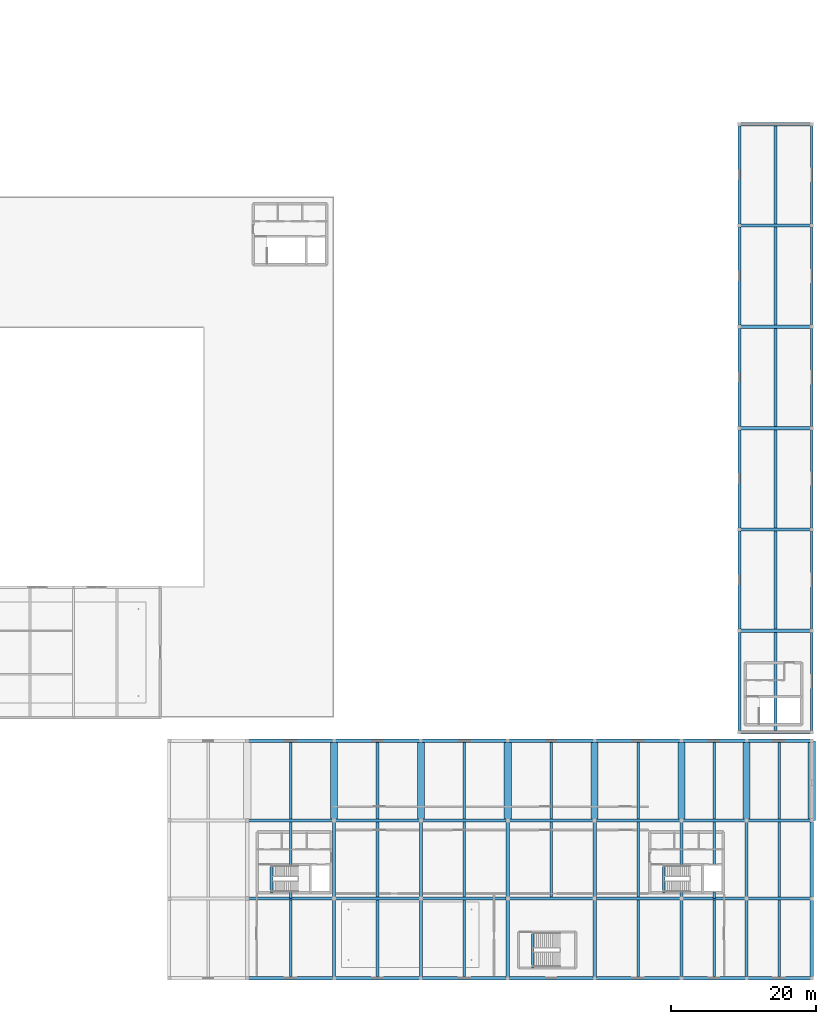
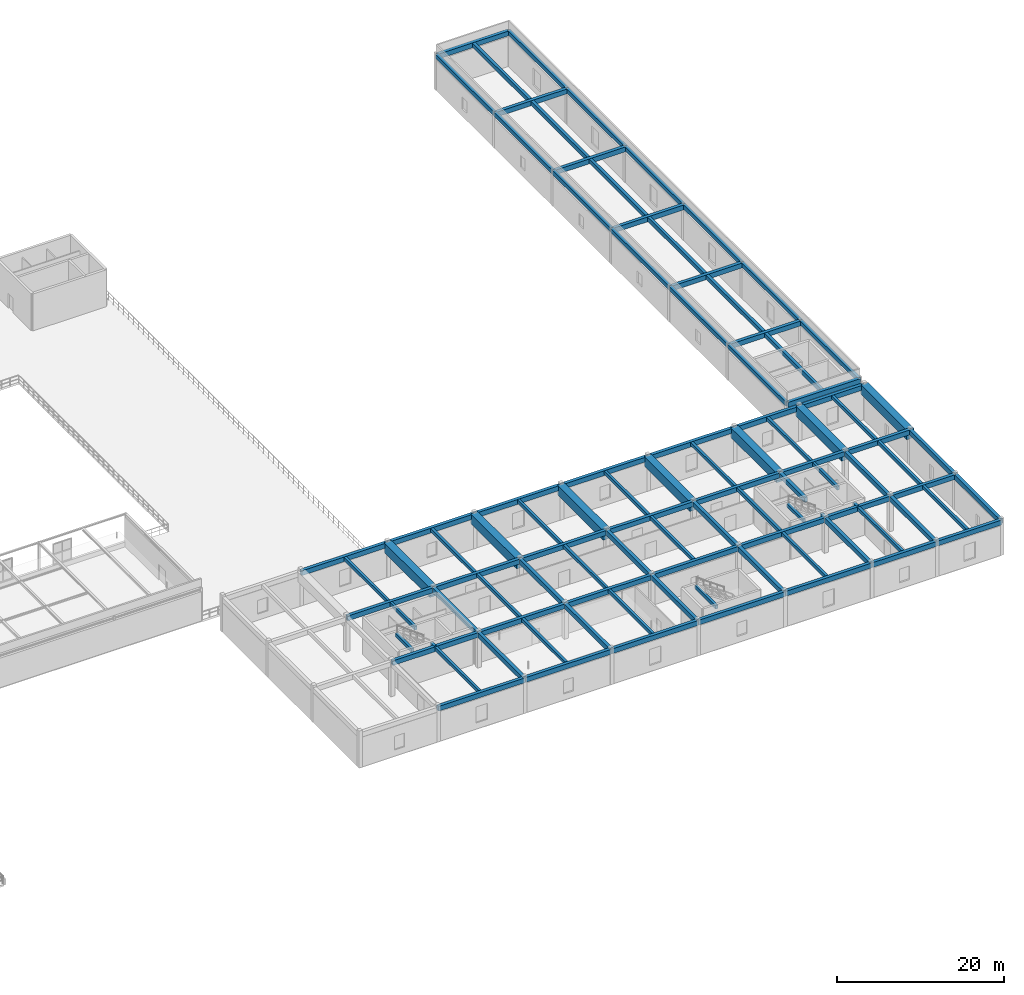
# One storey, part 62 of 97: 100 beams.
"""IFC4 building model written with IfcOpenShell, lengths in metres."""

import ifcopenshell
import ifcopenshell.guid

model = None  # the IFC model being written
_history = None  # IfcOwnerHistory: only IFC2X3 demands one
_inside = {}  # id of a spatial element -> (the spatial element, [elements in it])
_under = {}  # id of a project, library or spatial element -> (it, [spatial elements below it])
_declared = {}  # id of a project -> (the project, [libraries it declares])
_typed = {}  # id of a type object -> (the type object, [elements of that type])
_made_of = {}  # id of a material, layer set ... -> (it, [elements and type objects made of it])


def new_model(schema):
    """Start an empty IFC model of exactly this schema.

    Asked for "IFC4X3", IfcOpenShell would pick the latest addendum, in which some entities
    have other attributes; the version numbers below select the first issue.
    IFC2X3 requires an IfcOwnerHistory on every rooted entity: one is made here for all.
    """
    global model, _history
    if schema == "IFC4X3":
        model = ifcopenshell.file(schema_version=(4, 3, 0, 0))
    else:
        model = ifcopenshell.file(schema=schema)
    _inside.clear()
    _under.clear()
    _declared.clear()
    _typed.clear()
    _made_of.clear()
    _history = None
    if model.schema == "IFC2X3":
        org = make("IfcOrganization", Name="unknown")
        user = make(
            "IfcPersonAndOrganization",
            ThePerson=make("IfcPerson", FamilyName="unknown"),
            TheOrganization=org,
        )
        app = make(
            "IfcApplication",
            ApplicationDeveloper=org,
            Version="unknown",
            ApplicationFullName="unknown",
            ApplicationIdentifier="unknown",
        )
        _history = make(
            "IfcOwnerHistory",
            OwningUser=user,
            OwningApplication=app,
            ChangeAction="ADDED",
            CreationDate=0,
        )
    return model


def make(cls, **values):
    """One entity of the class cls with the attributes given. An attribute that is None is left unset."""
    return model.create_entity(
        cls, **{name: value for name, value in values.items() if value is not None}
    )


def rooted(cls, **values):
    """An entity with a GlobalId (a new one), such as an element, a storey or a relation."""
    return make(cls, GlobalId=ifcopenshell.guid.new(), OwnerHistory=_history, **values)


def si_unit(unit_type, name, prefix=None):
    """IfcSIUnit, for example si_unit("LENGTHUNIT", "METRE", prefix="MILLI")."""
    return make("IfcSIUnit", UnitType=unit_type, Prefix=prefix, Name=name)


def derived_unit(unit_type, elements):
    """IfcDerivedUnit: a product of units, each with its exponent."""
    return make(
        "IfcDerivedUnit",
        Elements=[
            make("IfcDerivedUnitElement", Unit=unit, Exponent=power)
            for unit, power in elements
        ],
        UnitType=unit_type,
    )


def assignment(units):
    """IfcUnitAssignment: the units of a project."""
    return None if units is None else make("IfcUnitAssignment", Units=units)


def point(xyz):
    """IfcCartesianPoint."""
    return None if xyz is None else make("IfcCartesianPoint", Coordinates=xyz)


def direction(xyz):
    """IfcDirection."""
    return None if xyz is None else make("IfcDirection", DirectionRatios=xyz)


def frame(location, z_axis=None, x_axis=None):
    """IfcAxis2Placement3D, a coordinate frame: its origin and axes. An axis left out is left unset."""
    return make(
        "IfcAxis2Placement3D",
        Location=point(location),
        Axis=direction(z_axis),
        RefDirection=direction(x_axis),
    )


def frame_2d(location, x_axis=None):
    """IfcAxis2Placement2D, a coordinate frame in the plane: its origin and x axis."""
    return make(
        "IfcAxis2Placement2D", Location=point(location), RefDirection=direction(x_axis)
    )


def origin():
    """The frame at (0, 0, 0) with its axes left unset."""
    return frame((0.0, 0.0, 0.0))


def origin_2d():
    """The frame at (0, 0) in the plane with its x axis left unset."""
    return frame_2d((0.0, 0.0))


def place(relative_to, where):
    """IfcLocalPlacement: puts the frame where relative to a parent placement (None: the world)."""
    return make(
        "IfcLocalPlacement", PlacementRelTo=relative_to, RelativePlacement=where
    )


def context(
    kind, dimensions, precision=None, world=None, true_north=None, identifier=None
):
    """IfcGeometricRepresentationContext, for example the 3D "Model" context."""
    return make(
        "IfcGeometricRepresentationContext",
        ContextIdentifier=identifier,
        ContextType=kind,
        CoordinateSpaceDimension=dimensions,
        Precision=precision,
        WorldCoordinateSystem=world,
        TrueNorth=true_north,
    )


def subcontext(parent, identifier, kind, view, scale=None):
    """IfcGeometricRepresentationSubContext, for example "Body" below "Model"."""
    return make(
        "IfcGeometricRepresentationSubContext",
        ContextIdentifier=identifier,
        ContextType=kind,
        ParentContext=parent,
        TargetScale=scale,
        TargetView=view,
    )


def project(units=None, contexts=None):
    """IfcProject with its units and contexts."""
    return rooted(
        "IfcProject",
        Name="project",
        RepresentationContexts=contexts,
        UnitsInContext=assignment(units),
    )


def spatial(cls, under=None, at=None, **own):
    """A site, building, storey or space (cls), placed at a placement, below another one or the project."""
    s = rooted(cls, ObjectPlacement=at, **own)
    if under is not None:
        _under.setdefault(under.id(), (under, []))[1].append(s)
    return s


def profile(cls, at=None, kind="AREA", **sizes):
    """A parametric profile (cls). Its sizes go by their IFC names, for example OverallWidth=200.0."""
    return make(cls, ProfileType=kind, Position=at, **sizes)


def rectangle(**sizes):
    """IfcRectangleProfileDef."""
    return profile("IfcRectangleProfileDef", **sizes)


def extrude(swept, where, along, depth):
    """IfcExtrudedAreaSolid: the profile swept, set in the frame where, extruded along a direction by depth."""
    return make(
        "IfcExtrudedAreaSolid",
        SweptArea=swept,
        Position=where,
        ExtrudedDirection=direction(along),
        Depth=depth,
    )


def shape(context_of_items, identifier, shape_type, items):
    """IfcShapeRepresentation: the items that make up one representation, for example the "Body"."""
    return make(
        "IfcShapeRepresentation",
        ContextOfItems=context_of_items,
        RepresentationIdentifier=identifier,
        RepresentationType=shape_type,
        Items=items,
    )


def material(Name=None, Category=None):
    """IfcMaterial."""
    return make("IfcMaterial", Name=Name, Category=Category)


def material_profile(
    of_material, cross_section, Name=None, Category=None, Priority=None
):
    """IfcMaterialProfile: a cross section and its material."""
    return make(
        "IfcMaterialProfile",
        Name=Name,
        Material=of_material,
        Profile=cross_section,
        Priority=Priority,
        Category=Category,
    )


def profile_set(profiles, Name=None, composite=None):
    """IfcMaterialProfileSet."""
    return make(
        "IfcMaterialProfileSet",
        Name=Name,
        MaterialProfiles=profiles,
        CompositeProfile=composite,
    )


def made_of(thing, what):
    """Note that an element or type object is made of a material, layer set ...; save() writes the relation."""
    if what is not None:
        _made_of.setdefault(what.id(), (what, []))[1].append(thing)
    return thing


def type_object(cls, material=None, **own):
    """A type object (cls), such as IfcWallType, which elements share."""
    return made_of(rooted(cls, **own), material)


def element(
    cls,
    number,
    at=None,
    inside=None,
    cuts=None,
    type_object=None,
    material=None,
    context=None,
    identifier="Body",
    shape_type=None,
    held_by="IfcProductDefinitionShape",
    body=None,
    shapes=None,
    **own,
):
    """One element of the class cls, such as IfcWall. Its Tag is "e" and its number.

    at: its placement. inside: the storey or other place that contains it. cuts: it is an
    opening in that element (IfcRelVoidsElement). A single representation is given by context,
    identifier, shape_type and body (its items); several are given by shapes. held_by: the class
    of the entity that holds the representations. save() writes the other relations.
    """
    e = rooted(cls, Tag="e%d" % number, ObjectPlacement=at, **own)
    if body is not None:
        shapes = [shape(context, identifier, shape_type, body)]
    if shapes is not None:
        e.Representation = make(held_by, Representations=shapes)
    if inside is not None:
        _inside.setdefault(inside.id(), (inside, []))[1].append(e)
    if cuts is not None:
        rooted(
            "IfcRelVoidsElement", RelatingBuildingElement=cuts, RelatedOpeningElement=e
        )
    if type_object is not None:
        _typed.setdefault(type_object.id(), (type_object, []))[1].append(e)
    return made_of(e, material)


def aggregate(whole, parts):
    """IfcRelAggregates: a whole, such as a stair, and the parts it consists of."""
    return rooted("IfcRelAggregates", RelatingObject=whole, RelatedObjects=parts)


def save(model, path):
    """Write the relations noted so far, then the file.

    IfcRelAggregates (storeys below a building ...), IfcRelContainedInSpatialStructure (elements
    in a storey), IfcRelDefinesByType, IfcRelAssociatesMaterial and IfcRelDeclares: one each for
    every whole, place, type object, material and project.
    """
    for whole, parts in _under.values():
        aggregate(whole, parts)
    for where, things in _inside.values():
        rooted(
            "IfcRelContainedInSpatialStructure",
            RelatedElements=things,
            RelatingStructure=where,
        )
    for kind, things in _typed.values():
        rooted("IfcRelDefinesByType", RelatedObjects=things, RelatingType=kind)
    for what, things in _made_of.values():
        rooted("IfcRelAssociatesMaterial", RelatedObjects=things, RelatingMaterial=what)
    for by, libraries in _declared.values():
        rooted("IfcRelDeclares", RelatingContext=by, RelatedDefinitions=libraries)
    model.write(path)


model = new_model("IFC4")

# Units and contexts
model_context = context("Model", 3, precision=1e-05, world=origin(), true_north=direction((0.0, 1.0)))
body_context = subcontext(model_context, "Body", "Model", "MODEL_VIEW")
ifc_project = project(units=[si_unit("LENGTHUNIT", "METRE"), si_unit("AREAUNIT", "SQUARE_METRE"), si_unit("VOLUMEUNIT", "CUBIC_METRE"), si_unit("PLANEANGLEUNIT", "RADIAN"), si_unit("MASSUNIT", "GRAM", prefix="KILO"), derived_unit("THERMALTRANSMITTANCEUNIT", [(si_unit("POWERUNIT", "WATT"), 1), (si_unit("LENGTHUNIT", "METRE"), -2), (si_unit("THERMODYNAMICTEMPERATUREUNIT", "KELVIN"), -1)])], contexts=[model_context])

# Site, building, storey
site_placement = place(None, origin())
site = spatial("IfcSite", under=ifc_project, at=site_placement, CompositionType="ELEMENT")
building_placement = place(site_placement, origin())
building = spatial("IfcBuilding", under=site, at=building_placement, Name="Almenara Railside Exhibition Hall", CompositionType="ELEMENT")
storey_placement = place(building_placement, frame((0.0, 0.0, 10.800048828125)))
storey = spatial("IfcBuildingStorey", under=building, at=storey_placement, Name="L02", CompositionType="ELEMENT", Elevation=10.800048828125)

# Beams
ifc_material_1 = material(Name="Concrete C35/45", Category="concrete")
ifc_material_profile_1 = material_profile(ifc_material_1, rectangle(XDim=0.449951171875, YDim=0.699951171875, at=origin_2d()), Name="RC 450x700")
ifc_profile_set_1 = profile_set([ifc_material_profile_1], Name="Concrete C35/45")
beam_type_1 = type_object("IfcBeamType", Name="RC Floor Beam 450x700 C35/45", PredefinedType="BEAM", material=ifc_profile_set_1)
for number, where, z_axis, x_axis, name in (
    (1, (126.0, 0.0, 4.7958984375), (1.0, 0.0, 0.0), (0.0, 1.0, 0.0), "Beam 0255"),
    (2, (138.0, 0.0, 4.7958984375), (1.0, 0.0, 0.0), (0.0, 1.0, 0.0), "Beam 0256"),
    (3, (150.0, 0.0, 4.7958984375), (1.0, 0.0, 0.0), (0.0, 1.0, 0.0), "Beam 0257"),
    (4, (162.0, 0.0, 4.7958984375), (1.0, 0.0, 0.0), (0.0, 1.0, 0.0), "Beam 0258"),
    (5, (174.0, 0.0, 4.7958984375), (1.0, 0.0, 0.0), (0.0, 1.0, 0.0), "Beam 0259"),
):
    element("IfcBeam", number, at=place(storey_placement, frame(where, z_axis=z_axis, x_axis=x_axis)), inside=storey, type_object=beam_type_1, Name=name, PredefinedType="BEAM", context=body_context, shape_type="SweptSolid", body=[
        extrude(rectangle(XDim=0.449951171875, YDim=0.699951171875, at=origin_2d()), origin(), (0.0, 0.0, 1.0), 12.0),
    ])
for number, where, z_axis, x_axis, name in (
    (6, (186.0, 0.0, 4.7958984375), (1.0, 0.0, 0.0), (0.0, 1.0, 0.0), "Beam 0260"),
    (7, (195.0, 0.0, 4.7958984375), (1.0, 0.0, 0.0), (0.0, 1.0, 0.0), "Beam 0261"),
):
    element("IfcBeam", number, at=place(storey_placement, frame(where, z_axis=z_axis, x_axis=x_axis)), inside=storey, type_object=beam_type_1, Name=name, PredefinedType="BEAM", context=body_context, shape_type="SweptSolid", body=[
        extrude(rectangle(XDim=0.449951171875, YDim=0.699951171875, at=origin_2d()), origin(), (0.0, 0.0, 1.0), 9.0),
    ])
for number, where, z_axis, x_axis, name in (
    (8, (126.0, 11.0, 4.7958984375), (1.0, 0.0, 0.0), (0.0, 1.0, 0.0), "Beam 0263"),
    (9, (138.0, 11.0, 4.7958984375), (1.0, 0.0, 0.0), (0.0, 1.0, 0.0), "Beam 0264"),
    (10, (150.0, 11.0, 4.7958984375), (1.0, 0.0, 0.0), (0.0, 1.0, 0.0), "Beam 0265"),
    (11, (162.0, 11.0, 4.7958984375), (1.0, 0.0, 0.0), (0.0, 1.0, 0.0), "Beam 0266"),
    (12, (174.0, 11.0, 4.7958984375), (1.0, 0.0, 0.0), (0.0, 1.0, 0.0), "Beam 0267"),
):
    element("IfcBeam", number, at=place(storey_placement, frame(where, z_axis=z_axis, x_axis=x_axis)), inside=storey, type_object=beam_type_1, Name=name, PredefinedType="BEAM", context=body_context, shape_type="SweptSolid", body=[
        extrude(rectangle(XDim=0.449951171875, YDim=0.699951171875, at=origin_2d()), origin(), (0.0, 0.0, 1.0), 12.0),
    ])
for number, where, z_axis, x_axis, name in (
    (13, (186.0, 11.0, 4.7958984375), (1.0, 0.0, 0.0), (0.0, 1.0, 0.0), "Beam 0268"),
    (14, (195.0, 11.0, 4.7958984375), (1.0, 0.0, 0.0), (0.0, 1.0, 0.0), "Beam 0269"),
):
    element("IfcBeam", number, at=place(storey_placement, frame(where, z_axis=z_axis, x_axis=x_axis)), inside=storey, type_object=beam_type_1, Name=name, PredefinedType="BEAM", context=body_context, shape_type="SweptSolid", body=[
        extrude(rectangle(XDim=0.449951171875, YDim=0.699951171875, at=origin_2d()), origin(), (0.0, 0.0, 1.0), 9.0),
    ])
for number, where, z_axis, x_axis, name in (
    (15, (126.0, 21.800048828125, 4.7958984375), (1.0, 0.0, 0.0), (0.0, 1.0, 0.0), "Beam 0271"),
    (16, (138.0, 21.800048828125, 4.7958984375), (1.0, 0.0, 0.0), (0.0, 1.0, 0.0), "Beam 0272"),
    (17, (150.0, 21.800048828125, 4.7958984375), (1.0, 0.0, 0.0), (0.0, 1.0, 0.0), "Beam 0273"),
    (18, (162.0, 21.800048828125, 4.7958984375), (1.0, 0.0, 0.0), (0.0, 1.0, 0.0), "Beam 0274"),
    (19, (174.0, 21.800048828125, 4.7958984375), (1.0, 0.0, 0.0), (0.0, 1.0, 0.0), "Beam 0275"),
):
    element("IfcBeam", number, at=place(storey_placement, frame(where, z_axis=z_axis, x_axis=x_axis)), inside=storey, type_object=beam_type_1, Name=name, PredefinedType="BEAM", context=body_context, shape_type="SweptSolid", body=[
        extrude(rectangle(XDim=0.449951171875, YDim=0.699951171875, at=origin_2d()), origin(), (0.0, 0.0, 1.0), 12.0),
    ])
for number, where, z_axis, x_axis, name in (
    (20, (186.0, 21.800048828125, 4.7958984375), (1.0, 0.0, 0.0), (0.0, 1.0, 0.0), "Beam 0276"),
    (21, (195.0, 21.800048828125, 4.7958984375), (1.0, 0.0, 0.0), (0.0, 1.0, 0.0), "Beam 0277"),
):
    element("IfcBeam", number, at=place(storey_placement, frame(where, z_axis=z_axis, x_axis=x_axis)), inside=storey, type_object=beam_type_1, Name=name, PredefinedType="BEAM", context=body_context, shape_type="SweptSolid", body=[
        extrude(rectangle(XDim=0.449951171875, YDim=0.699951171875, at=origin_2d()), origin(), (0.0, 0.0, 1.0), 9.0),
    ])
for number, where, z_axis, x_axis, name in (
    (22, (126.0, 32.800048828125, 4.73583984375), (1.0, 0.0, 0.0), (0.0, 1.0, 0.0), "Beam 0279"),
    (23, (138.0, 32.800048828125, 4.73583984375), (1.0, 0.0, 0.0), (0.0, 1.0, 0.0), "Beam 0280"),
    (24, (150.0, 32.800048828125, 4.73583984375), (1.0, 0.0, 0.0), (0.0, 1.0, 0.0), "Beam 0281"),
    (25, (162.0, 32.800048828125, 4.73583984375), (1.0, 0.0, 0.0), (0.0, 1.0, 0.0), "Beam 0282"),
    (26, (174.0, 32.800048828125, 4.73583984375), (1.0, 0.0, 0.0), (0.0, 1.0, 0.0), "Beam 0283"),
):
    element("IfcBeam", number, at=place(storey_placement, frame(where, z_axis=z_axis, x_axis=x_axis)), inside=storey, type_object=beam_type_1, Name=name, PredefinedType="BEAM", context=body_context, shape_type="SweptSolid", body=[
        extrude(rectangle(XDim=0.449951171875, YDim=0.699951171875, at=origin_2d()), origin(), (0.0, 0.0, 1.0), 12.0),
    ])
for number, where, z_axis, x_axis, name in (
    (27, (186.0, 32.800048828125, 4.73583984375), (1.0, 0.0, 0.0), (0.0, 1.0, 0.0), "Beam 0284"),
    (28, (195.0, 32.800048828125, 4.73583984375), (1.0, 0.0, 0.0), (0.0, 1.0, 0.0), "Beam 0285"),
):
    element("IfcBeam", number, at=place(storey_placement, frame(where, z_axis=z_axis, x_axis=x_axis)), inside=storey, type_object=beam_type_1, Name=name, PredefinedType="BEAM", context=body_context, shape_type="SweptSolid", body=[
        extrude(rectangle(XDim=0.449951171875, YDim=0.699951171875, at=origin_2d()), origin(), (0.0, 0.0, 1.0), 9.0),
    ])
beam_1_placement = place(storey_placement, frame((138.0, 0.0, 4.7958984375), z_axis=(0.0, 1.0, 0.0), x_axis=(-1.0, 0.0, 0.0)))
element("IfcBeam", 29, at=beam_1_placement, inside=storey, type_object=beam_type_1, Name="Beam 0292", PredefinedType="BEAM", context=body_context, shape_type="SweptSolid", body=[
    extrude(rectangle(XDim=0.449951171875, YDim=0.699951171875, at=origin_2d()), origin(), (0.0, 0.0, 1.0), 11.0),
])
beam_2_placement = place(storey_placement, frame((138.0, 11.0, 4.7958984375), z_axis=(0.0, 1.0, 0.0), x_axis=(-1.0, 0.0, 0.0)))
element("IfcBeam", 30, at=beam_2_placement, inside=storey, type_object=beam_type_1, Name="Beam 0293", PredefinedType="BEAM", context=body_context, shape_type="SweptSolid", body=[
    extrude(rectangle(XDim=0.449951171875, YDim=0.699951171875, at=origin_2d()), origin(), (0.0, 0.0, 1.0), 10.800048828125),
])
beam_3_placement = place(storey_placement, frame((150.0, 0.0, 4.7958984375), z_axis=(0.0, 1.0, 0.0), x_axis=(-1.0, 0.0, 0.0)))
element("IfcBeam", 31, at=beam_3_placement, inside=storey, type_object=beam_type_1, Name="Beam 0295", PredefinedType="BEAM", context=body_context, shape_type="SweptSolid", body=[
    extrude(rectangle(XDim=0.449951171875, YDim=0.699951171875, at=origin_2d()), origin(), (0.0, 0.0, 1.0), 11.0),
])
beam_4_placement = place(storey_placement, frame((150.0, 11.0, 4.7958984375), z_axis=(0.0, 1.0, 0.0), x_axis=(-1.0, 0.0, 0.0)))
element("IfcBeam", 32, at=beam_4_placement, inside=storey, type_object=beam_type_1, Name="Beam 0296", PredefinedType="BEAM", context=body_context, shape_type="SweptSolid", body=[
    extrude(rectangle(XDim=0.449951171875, YDim=0.699951171875, at=origin_2d()), origin(), (0.0, 0.0, 1.0), 10.800048828125),
])
beam_5_placement = place(storey_placement, frame((162.0, 0.0, 4.7958984375), z_axis=(0.0, 1.0, 0.0), x_axis=(-1.0, 0.0, 0.0)))
element("IfcBeam", 33, at=beam_5_placement, inside=storey, type_object=beam_type_1, Name="Beam 0298", PredefinedType="BEAM", context=body_context, shape_type="SweptSolid", body=[
    extrude(rectangle(XDim=0.449951171875, YDim=0.699951171875, at=origin_2d()), origin(), (0.0, 0.0, 1.0), 11.0),
])
beam_6_placement = place(storey_placement, frame((162.0, 11.0, 4.7958984375), z_axis=(0.0, 1.0, 0.0), x_axis=(-1.0, 0.0, 0.0)))
element("IfcBeam", 34, at=beam_6_placement, inside=storey, type_object=beam_type_1, Name="Beam 0299", PredefinedType="BEAM", context=body_context, shape_type="SweptSolid", body=[
    extrude(rectangle(XDim=0.449951171875, YDim=0.699951171875, at=origin_2d()), origin(), (0.0, 0.0, 1.0), 10.800048828125),
])
beam_7_placement = place(storey_placement, frame((174.0, 0.0, 4.7958984375), z_axis=(0.0, 1.0, 0.0), x_axis=(-1.0, 0.0, 0.0)))
element("IfcBeam", 35, at=beam_7_placement, inside=storey, type_object=beam_type_1, Name="Beam 0301", PredefinedType="BEAM", context=body_context, shape_type="SweptSolid", body=[
    extrude(rectangle(XDim=0.449951171875, YDim=0.699951171875, at=origin_2d()), origin(), (0.0, 0.0, 1.0), 11.0),
])
beam_8_placement = place(storey_placement, frame((174.0, 11.0, 4.7958984375), z_axis=(0.0, 1.0, 0.0), x_axis=(-1.0, 0.0, 0.0)))
element("IfcBeam", 36, at=beam_8_placement, inside=storey, type_object=beam_type_1, Name="Beam 0302", PredefinedType="BEAM", context=body_context, shape_type="SweptSolid", body=[
    extrude(rectangle(XDim=0.449951171875, YDim=0.699951171875, at=origin_2d()), origin(), (0.0, 0.0, 1.0), 10.800048828125),
])
beam_9_placement = place(storey_placement, frame((186.0, 0.0, 4.7958984375), z_axis=(0.0, 1.0, 0.0), x_axis=(-1.0, 0.0, 0.0)))
element("IfcBeam", 37, at=beam_9_placement, inside=storey, type_object=beam_type_1, Name="Beam 0304", PredefinedType="BEAM", context=body_context, shape_type="SweptSolid", body=[
    extrude(rectangle(XDim=0.449951171875, YDim=0.699951171875, at=origin_2d()), origin(), (0.0, 0.0, 1.0), 11.0),
])
beam_10_placement = place(storey_placement, frame((186.0, 11.0, 4.7958984375), z_axis=(0.0, 1.0, 0.0), x_axis=(-1.0, 0.0, 0.0)))
element("IfcBeam", 38, at=beam_10_placement, inside=storey, type_object=beam_type_1, Name="Beam 0305", PredefinedType="BEAM", context=body_context, shape_type="SweptSolid", body=[
    extrude(rectangle(XDim=0.449951171875, YDim=0.699951171875, at=origin_2d()), origin(), (0.0, 0.0, 1.0), 0.89990234375),
])
beam_11_placement = place(storey_placement, frame((186.0, 15.6201171875, 4.7958984375), z_axis=(0.0, 1.0, 0.0), x_axis=(-1.0, 0.0, 0.0)))
element("IfcBeam", 39, at=beam_11_placement, inside=storey, type_object=beam_type_1, Name="Beam 0306", PredefinedType="BEAM", context=body_context, shape_type="SweptSolid", body=[
    extrude(rectangle(XDim=0.449951171875, YDim=0.699951171875, at=origin_2d()), origin(), (0.0, 0.0, 1.0), 6.179931640625),
])
beam_12_placement = place(storey_placement, frame((195.0, 0.0, 4.7958984375), z_axis=(0.0, 1.0, 0.0), x_axis=(-1.0, 0.0, 0.0)))
element("IfcBeam", 40, at=beam_12_placement, inside=storey, type_object=beam_type_1, Name="Beam 0308", PredefinedType="BEAM", context=body_context, shape_type="SweptSolid", body=[
    extrude(rectangle(XDim=0.449951171875, YDim=0.699951171875, at=origin_2d()), origin(), (0.0, 0.0, 1.0), 11.0),
])
beam_13_placement = place(storey_placement, frame((195.0, 11.0, 4.7958984375), z_axis=(0.0, 1.0, 0.0), x_axis=(-1.0, 0.0, 0.0)))
element("IfcBeam", 41, at=beam_13_placement, inside=storey, type_object=beam_type_1, Name="Beam 0309", PredefinedType="BEAM", context=body_context, shape_type="SweptSolid", body=[
    extrude(rectangle(XDim=0.449951171875, YDim=0.699951171875, at=origin_2d()), origin(), (0.0, 0.0, 1.0), 10.800048828125),
])
beam_14_placement = place(storey_placement, frame((204.0, 0.0, 4.7958984375), z_axis=(0.0, 1.0, 0.0), x_axis=(-1.0, 0.0, 0.0)))
element("IfcBeam", 42, at=beam_14_placement, inside=storey, type_object=beam_type_1, Name="Beam 0311", PredefinedType="BEAM", context=body_context, shape_type="SweptSolid", body=[
    extrude(rectangle(XDim=0.449951171875, YDim=0.699951171875, at=origin_2d()), origin(), (0.0, 0.0, 1.0), 11.0),
])
beam_15_placement = place(storey_placement, frame((204.0, 11.0, 4.7958984375), z_axis=(0.0, 1.0, 0.0), x_axis=(-1.0, 0.0, 0.0)))
element("IfcBeam", 43, at=beam_15_placement, inside=storey, type_object=beam_type_1, Name="Beam 0312", PredefinedType="BEAM", context=body_context, shape_type="SweptSolid", body=[
    extrude(rectangle(XDim=0.449951171875, YDim=0.699951171875, at=origin_2d()), origin(), (0.0, 0.0, 1.0), 10.800048828125),
])
for number, where, z_axis, x_axis, name in (
    (44, (194.0, 34.0, 4.850830078125), (1.0, 0.0, 0.0), (0.0, 1.0, 0.0), "Beam 0465"),
    (45, (194.0, 48.0, 4.850830078125), (1.0, 0.0, 0.0), (0.0, 1.0, 0.0), "Beam 0466"),
    (46, (194.0, 62.0, 4.850830078125), (1.0, 0.0, 0.0), (0.0, 1.0, 0.0), "Beam 0467"),
    (47, (194.0, 76.0, 4.850830078125), (1.0, 0.0, 0.0), (0.0, 1.0, 0.0), "Beam 0468"),
    (48, (194.0, 90.0, 4.850830078125), (1.0, 0.0, 0.0), (0.0, 1.0, 0.0), "Beam 0469"),
    (49, (194.0, 104.0, 4.850830078125), (1.0, 0.0, 0.0), (0.0, 1.0, 0.0), "Beam 0470"),
    (50, (194.0, 118.0, 4.850830078125), (1.0, 0.0, 0.0), (0.0, 1.0, 0.0), "Beam 0471"),
):
    element("IfcBeam", number, at=place(storey_placement, frame(where, z_axis=z_axis, x_axis=x_axis)), inside=storey, type_object=beam_type_1, Name=name, PredefinedType="BEAM", context=body_context, shape_type="SweptSolid", body=[
        extrude(rectangle(XDim=0.449951171875, YDim=0.699951171875, at=origin_2d()), origin(), (0.0, 0.0, 1.0), 10.0),
    ])
ifc_material_2 = material(Name="Concrete C40/50", Category="concrete")
ifc_material_profile_2 = material_profile(ifc_material_2, rectangle(XDim=1.0, YDim=1.39990234375, at=origin_2d()), Name="RC 1000x1400")
ifc_profile_set_2 = profile_set([ifc_material_profile_2], Name="Concrete C40/50")
beam_type_2 = type_object("IfcBeamType", Name="RC Primary Girder 1000x1400 C40/50", PredefinedType="USERDEFINED", material=ifc_profile_set_2)
for number, where, z_axis, x_axis, name in (
    (51, (138.0, 21.800048828125, 4.385986328125), (0.0, 1.0, 0.0), (-1.0, 0.0, 0.0), "Beam 0294"),
    (52, (150.0, 21.800048828125, 4.385986328125), (0.0, 1.0, 0.0), (-1.0, 0.0, 0.0), "Beam 0297"),
    (53, (162.0, 21.800048828125, 4.385986328125), (0.0, 1.0, 0.0), (-1.0, 0.0, 0.0), "Beam 0300"),
    (54, (174.0, 21.800048828125, 4.385986328125), (0.0, 1.0, 0.0), (-1.0, 0.0, 0.0), "Beam 0303"),
    (55, (186.0, 21.800048828125, 4.385986328125), (0.0, 1.0, 0.0), (-1.0, 0.0, 0.0), "Beam 0307"),
    (56, (195.0, 21.800048828125, 4.385986328125), (0.0, 1.0, 0.0), (-1.0, 0.0, 0.0), "Beam 0310"),
    (57, (204.0, 21.800048828125, 4.385986328125), (0.0, 1.0, 0.0), (-1.0, 0.0, 0.0), "Beam 0313"),
):
    element("IfcBeam", number, at=place(storey_placement, frame(where, z_axis=z_axis, x_axis=x_axis)), inside=storey, type_object=beam_type_2, Name=name, ObjectType="GIRDER", PredefinedType="USERDEFINED", context=body_context, shape_type="SweptSolid", body=[
        extrude(rectangle(XDim=1.0, YDim=1.39990234375, at=origin_2d()), origin(), (0.0, 0.0, 1.0), 11.0),
    ])
ifc_material_profile_3 = material_profile(ifc_material_1, rectangle(XDim=0.39990234375, YDim=0.60009765625, at=origin_2d()), Name="RC 400x600")
ifc_profile_set_3 = profile_set([ifc_material_profile_3], Name="Concrete C35/45")
beam_type_3 = type_object("IfcBeamType", Name="RC Secondary Beam 400x600 C35/45", PredefinedType="BEAM", material=ifc_profile_set_3)
for number, where, z_axis, x_axis, name in (
    (58, (194.0, 34.0, 4.90087890625), (0.0, 1.0, 0.0), (-1.0, 0.0, 0.0), "Beam 0472"),
    (59, (194.0, 48.0, 4.90087890625), (0.0, 1.0, 0.0), (-1.0, 0.0, 0.0), "Beam 0473"),
    (60, (194.0, 62.0, 4.90087890625), (0.0, 1.0, 0.0), (-1.0, 0.0, 0.0), "Beam 0474"),
    (61, (194.0, 76.0, 4.90087890625), (0.0, 1.0, 0.0), (-1.0, 0.0, 0.0), "Beam 0475"),
    (62, (194.0, 90.0, 4.90087890625), (0.0, 1.0, 0.0), (-1.0, 0.0, 0.0), "Beam 0476"),
    (63, (194.0, 104.0, 4.90087890625), (0.0, 1.0, 0.0), (-1.0, 0.0, 0.0), "Beam 0477"),
):
    element("IfcBeam", number, at=place(storey_placement, frame(where, z_axis=z_axis, x_axis=x_axis)), inside=storey, type_object=beam_type_3, Name=name, PredefinedType="BEAM", context=body_context, shape_type="SweptSolid", body=[
        extrude(rectangle(XDim=0.39990234375, YDim=0.60009765625, at=origin_2d()), origin(), (0.0, 0.0, 1.0), 14.0),
    ])
for number, where, z_axis, x_axis, name in (
    (64, (199.0, 34.22509765625, 4.90087890625), (0.0, 1.0, 0.0), (-1.0, 0.0, 0.0), "Beam 0478"),
    (65, (199.0, 48.22509765625, 4.90087890625), (0.0, 1.0, 0.0), (-1.0, 0.0, 0.0), "Beam 0479"),
    (66, (199.0, 62.22509765625, 4.90087890625), (0.0, 1.0, 0.0), (-1.0, 0.0, 0.0), "Beam 0480"),
    (67, (199.0, 76.22509765625, 4.90087890625), (0.0, 1.0, 0.0), (-1.0, 0.0, 0.0), "Beam 0481"),
    (68, (199.0, 90.22509765625, 4.90087890625), (0.0, 1.0, 0.0), (-1.0, 0.0, 0.0), "Beam 0482"),
    (69, (199.0, 104.22509765625, 4.90087890625), (0.0, 1.0, 0.0), (-1.0, 0.0, 0.0), "Beam 0483"),
):
    element("IfcBeam", number, at=place(storey_placement, frame(where, z_axis=z_axis, x_axis=x_axis)), inside=storey, type_object=beam_type_3, Name=name, PredefinedType="BEAM", context=body_context, shape_type="SweptSolid", body=[
        extrude(rectangle(XDim=0.39990234375, YDim=0.60009765625, at=origin_2d()), origin(), (0.0, 0.0, 1.0), 13.5498046875),
    ])
for number, where, z_axis, x_axis, name in (
    (70, (204.0, 34.0, 4.90087890625), (0.0, 1.0, 0.0), (-1.0, 0.0, 0.0), "Beam 0484"),
    (71, (204.0, 48.0, 4.90087890625), (0.0, 1.0, 0.0), (-1.0, 0.0, 0.0), "Beam 0485"),
    (72, (204.0, 62.0, 4.90087890625), (0.0, 1.0, 0.0), (-1.0, 0.0, 0.0), "Beam 0486"),
    (73, (204.0, 76.0, 4.90087890625), (0.0, 1.0, 0.0), (-1.0, 0.0, 0.0), "Beam 0487"),
    (74, (204.0, 90.0, 4.90087890625), (0.0, 1.0, 0.0), (-1.0, 0.0, 0.0), "Beam 0488"),
    (75, (204.0, 104.0, 4.90087890625), (0.0, 1.0, 0.0), (-1.0, 0.0, 0.0), "Beam 0489"),
):
    element("IfcBeam", number, at=place(storey_placement, frame(where, z_axis=z_axis, x_axis=x_axis)), inside=storey, type_object=beam_type_3, Name=name, PredefinedType="BEAM", context=body_context, shape_type="SweptSolid", body=[
        extrude(rectangle(XDim=0.39990234375, YDim=0.60009765625, at=origin_2d()), origin(), (0.0, 0.0, 1.0), 14.0),
    ])
ifc_material_profile_4 = material_profile(ifc_material_1, rectangle(XDim=0.35009765625, YDim=0.5, at=origin_2d()), Name="RC 350x500")
ifc_profile_set_4 = profile_set([ifc_material_profile_4], Name="Concrete C35/45")
beam_type_4 = type_object("IfcBeamType", Name="RC Spandrel Tie Beam 350x500 C35/45", PredefinedType="SPANDREL", material=ifc_profile_set_4)
beam_16_placement = place(storey_placement, frame((132.0, 0.22509765625, 4.89599609375), z_axis=(0.0, 1.0, 0.0), x_axis=(-1.0, 0.0, 0.0)))
element("IfcBeam", 76, at=beam_16_placement, inside=storey, type_object=beam_type_4, Name="Beam 0317", PredefinedType="SPANDREL", context=body_context, shape_type="SweptSolid", body=[
    extrude(rectangle(XDim=0.35009765625, YDim=0.5, at=origin_2d()), origin(), (0.0, 0.0, 1.0), 10.5498046875),
])
beam_17_placement = place(storey_placement, frame((132.0, 11.0, 4.89599609375), z_axis=(0.0, 1.0, 0.0), x_axis=(-1.0, 0.0, 0.0)))
element("IfcBeam", 77, at=beam_17_placement, inside=storey, type_object=beam_type_4, Name="Beam 0318", PredefinedType="SPANDREL", context=body_context, shape_type="SweptSolid", body=[
    extrude(rectangle(XDim=0.35009765625, YDim=0.5, at=origin_2d()), origin(), (0.0, 0.0, 1.0), 0.89990234375),
])
beam_18_placement = place(storey_placement, frame((132.0, 15.6201171875, 4.89599609375), z_axis=(0.0, 1.0, 0.0), x_axis=(-1.0, 0.0, 0.0)))
element("IfcBeam", 78, at=beam_18_placement, inside=storey, type_object=beam_type_4, Name="Beam 0319", PredefinedType="SPANDREL", context=body_context, shape_type="SweptSolid", body=[
    extrude(rectangle(XDim=0.35009765625, YDim=0.5, at=origin_2d()), origin(), (0.0, 0.0, 1.0), 5.954833984375),
])
beam_19_placement = place(storey_placement, frame((132.0, 22.02490234375, 4.8359375), z_axis=(0.0, 1.0, 0.0), x_axis=(-1.0, 0.0, 0.0)))
element("IfcBeam", 79, at=beam_19_placement, inside=storey, type_object=beam_type_4, Name="Beam 0320", PredefinedType="SPANDREL", context=body_context, shape_type="SweptSolid", body=[
    extrude(rectangle(XDim=0.35009765625, YDim=0.5, at=origin_2d()), origin(), (0.0, 0.0, 1.0), 10.550048828125),
])
beam_20_placement = place(storey_placement, frame((144.0, 0.22509765625, 4.89599609375), z_axis=(0.0, 1.0, 0.0), x_axis=(-1.0, 0.0, 0.0)))
element("IfcBeam", 80, at=beam_20_placement, inside=storey, type_object=beam_type_4, Name="Beam 0321", PredefinedType="SPANDREL", context=body_context, shape_type="SweptSolid", body=[
    extrude(rectangle(XDim=0.35009765625, YDim=0.5, at=origin_2d()), origin(), (0.0, 0.0, 1.0), 10.5498046875),
])
beam_21_placement = place(storey_placement, frame((144.0, 11.22509765625, 4.89599609375), z_axis=(0.0, 1.0, 0.0), x_axis=(-1.0, 0.0, 0.0)))
element("IfcBeam", 81, at=beam_21_placement, inside=storey, type_object=beam_type_4, Name="Beam 0322", PredefinedType="SPANDREL", context=body_context, shape_type="SweptSolid", body=[
    extrude(rectangle(XDim=0.35009765625, YDim=0.5, at=origin_2d()), origin(), (0.0, 0.0, 1.0), 10.349853515625),
])
beam_22_placement = place(storey_placement, frame((144.0, 22.02490234375, 4.8359375), z_axis=(0.0, 1.0, 0.0), x_axis=(-1.0, 0.0, 0.0)))
element("IfcBeam", 82, at=beam_22_placement, inside=storey, type_object=beam_type_4, Name="Beam 0323", PredefinedType="SPANDREL", context=body_context, shape_type="SweptSolid", body=[
    extrude(rectangle(XDim=0.35009765625, YDim=0.5, at=origin_2d()), origin(), (0.0, 0.0, 1.0), 10.550048828125),
])
beam_23_placement = place(storey_placement, frame((156.0, 0.22509765625, 4.89599609375), z_axis=(0.0, 1.0, 0.0), x_axis=(-1.0, 0.0, 0.0)))
element("IfcBeam", 83, at=beam_23_placement, inside=storey, type_object=beam_type_4, Name="Beam 0324", PredefinedType="SPANDREL", context=body_context, shape_type="SweptSolid", body=[
    extrude(rectangle(XDim=0.35009765625, YDim=0.5, at=origin_2d()), origin(), (0.0, 0.0, 1.0), 10.5498046875),
])
beam_24_placement = place(storey_placement, frame((156.0, 11.22509765625, 4.89599609375), z_axis=(0.0, 1.0, 0.0), x_axis=(-1.0, 0.0, 0.0)))
element("IfcBeam", 84, at=beam_24_placement, inside=storey, type_object=beam_type_4, Name="Beam 0325", PredefinedType="SPANDREL", context=body_context, shape_type="SweptSolid", body=[
    extrude(rectangle(XDim=0.35009765625, YDim=0.5, at=origin_2d()), origin(), (0.0, 0.0, 1.0), 10.349853515625),
])
beam_25_placement = place(storey_placement, frame((156.0, 22.02490234375, 4.8359375), z_axis=(0.0, 1.0, 0.0), x_axis=(-1.0, 0.0, 0.0)))
element("IfcBeam", 85, at=beam_25_placement, inside=storey, type_object=beam_type_4, Name="Beam 0326", PredefinedType="SPANDREL", context=body_context, shape_type="SweptSolid", body=[
    extrude(rectangle(XDim=0.35009765625, YDim=0.5, at=origin_2d()), origin(), (0.0, 0.0, 1.0), 10.550048828125),
])
beam_26_placement = place(storey_placement, frame((168.0, 11.22509765625, 4.89599609375), z_axis=(0.0, 1.0, 0.0), x_axis=(-1.0, 0.0, 0.0)))
element("IfcBeam", 86, at=beam_26_placement, inside=storey, type_object=beam_type_4, Name="Beam 0328", PredefinedType="SPANDREL", context=body_context, shape_type="SweptSolid", body=[
    extrude(rectangle(XDim=0.35009765625, YDim=0.5, at=origin_2d()), origin(), (0.0, 0.0, 1.0), 10.349853515625),
])
beam_27_placement = place(storey_placement, frame((168.0, 22.02490234375, 4.8359375), z_axis=(0.0, 1.0, 0.0), x_axis=(-1.0, 0.0, 0.0)))
element("IfcBeam", 87, at=beam_27_placement, inside=storey, type_object=beam_type_4, Name="Beam 0329", PredefinedType="SPANDREL", context=body_context, shape_type="SweptSolid", body=[
    extrude(rectangle(XDim=0.35009765625, YDim=0.5, at=origin_2d()), origin(), (0.0, 0.0, 1.0), 10.550048828125),
])
beam_28_placement = place(storey_placement, frame((180.0, 0.22509765625, 4.89599609375), z_axis=(0.0, 1.0, 0.0), x_axis=(-1.0, 0.0, 0.0)))
element("IfcBeam", 88, at=beam_28_placement, inside=storey, type_object=beam_type_4, Name="Beam 0330", PredefinedType="SPANDREL", context=body_context, shape_type="SweptSolid", body=[
    extrude(rectangle(XDim=0.35009765625, YDim=0.5, at=origin_2d()), origin(), (0.0, 0.0, 1.0), 10.5498046875),
])
beam_29_placement = place(storey_placement, frame((180.0, 11.22509765625, 4.89599609375), z_axis=(0.0, 1.0, 0.0), x_axis=(-1.0, 0.0, 0.0)))
element("IfcBeam", 89, at=beam_29_placement, inside=storey, type_object=beam_type_4, Name="Beam 0331", PredefinedType="SPANDREL", context=body_context, shape_type="SweptSolid", body=[
    extrude(rectangle(XDim=0.35009765625, YDim=0.5, at=origin_2d()), origin(), (0.0, 0.0, 1.0), 10.349853515625),
])
beam_30_placement = place(storey_placement, frame((180.0, 22.02490234375, 4.8359375), z_axis=(0.0, 1.0, 0.0), x_axis=(-1.0, 0.0, 0.0)))
element("IfcBeam", 90, at=beam_30_placement, inside=storey, type_object=beam_type_4, Name="Beam 0332", PredefinedType="SPANDREL", context=body_context, shape_type="SweptSolid", body=[
    extrude(rectangle(XDim=0.35009765625, YDim=0.5, at=origin_2d()), origin(), (0.0, 0.0, 1.0), 10.550048828125),
])
beam_31_placement = place(storey_placement, frame((190.5, 0.22509765625, 4.89599609375), z_axis=(0.0, 1.0, 0.0), x_axis=(-1.0, 0.0, 0.0)))
element("IfcBeam", 91, at=beam_31_placement, inside=storey, type_object=beam_type_4, Name="Beam 0333", PredefinedType="SPANDREL", context=body_context, shape_type="SweptSolid", body=[
    extrude(rectangle(XDim=0.35009765625, YDim=0.5, at=origin_2d()), origin(), (0.0, 0.0, 1.0), 10.5498046875),
])
beam_32_placement = place(storey_placement, frame((190.5, 11.0, 4.89599609375), z_axis=(0.0, 1.0, 0.0), x_axis=(-1.0, 0.0, 0.0)))
element("IfcBeam", 92, at=beam_32_placement, inside=storey, type_object=beam_type_4, Name="Beam 0334", PredefinedType="SPANDREL", context=body_context, shape_type="SweptSolid", body=[
    extrude(rectangle(XDim=0.35009765625, YDim=0.5, at=origin_2d()), origin(), (0.0, 0.0, 1.0), 0.89990234375),
])
beam_33_placement = place(storey_placement, frame((190.5, 15.6201171875, 4.89599609375), z_axis=(0.0, 1.0, 0.0), x_axis=(-1.0, 0.0, 0.0)))
element("IfcBeam", 93, at=beam_33_placement, inside=storey, type_object=beam_type_4, Name="Beam 0335", PredefinedType="SPANDREL", context=body_context, shape_type="SweptSolid", body=[
    extrude(rectangle(XDim=0.35009765625, YDim=0.5, at=origin_2d()), origin(), (0.0, 0.0, 1.0), 5.954833984375),
])
beam_34_placement = place(storey_placement, frame((190.5, 22.02490234375, 4.8359375), z_axis=(0.0, 1.0, 0.0), x_axis=(-1.0, 0.0, 0.0)))
element("IfcBeam", 94, at=beam_34_placement, inside=storey, type_object=beam_type_4, Name="Beam 0336", PredefinedType="SPANDREL", context=body_context, shape_type="SweptSolid", body=[
    extrude(rectangle(XDim=0.35009765625, YDim=0.5, at=origin_2d()), origin(), (0.0, 0.0, 1.0), 10.550048828125),
])
beam_35_placement = place(storey_placement, frame((199.5, 0.22509765625, 4.89599609375), z_axis=(0.0, 1.0, 0.0), x_axis=(-1.0, 0.0, 0.0)))
element("IfcBeam", 95, at=beam_35_placement, inside=storey, type_object=beam_type_4, Name="Beam 0337", PredefinedType="SPANDREL", context=body_context, shape_type="SweptSolid", body=[
    extrude(rectangle(XDim=0.35009765625, YDim=0.5, at=origin_2d()), origin(), (0.0, 0.0, 1.0), 10.5498046875),
])
beam_36_placement = place(storey_placement, frame((199.5, 11.22509765625, 4.89599609375), z_axis=(0.0, 1.0, 0.0), x_axis=(-1.0, 0.0, 0.0)))
element("IfcBeam", 96, at=beam_36_placement, inside=storey, type_object=beam_type_4, Name="Beam 0338", PredefinedType="SPANDREL", context=body_context, shape_type="SweptSolid", body=[
    extrude(rectangle(XDim=0.35009765625, YDim=0.5, at=origin_2d()), origin(), (0.0, 0.0, 1.0), 10.349853515625),
])
beam_37_placement = place(storey_placement, frame((199.5, 22.02490234375, 4.8359375), z_axis=(0.0, 1.0, 0.0), x_axis=(-1.0, 0.0, 0.0)))
element("IfcBeam", 97, at=beam_37_placement, inside=storey, type_object=beam_type_4, Name="Beam 0339", PredefinedType="SPANDREL", context=body_context, shape_type="SweptSolid", body=[
    extrude(rectangle(XDim=0.35009765625, YDim=0.5, at=origin_2d()), origin(), (0.0, 0.0, 1.0), 10.550048828125),
])
for number, where, z_axis, x_axis, name in (
    (98, (129.35009765625, 11.800048828125, 4.889892578125), (0.0, 1.0, 0.0), (-1.0, 0.0, 0.0), "Stair trimmer ST-C5-L02"),
    (99, (183.550048828125, 11.800048828125, 4.889892578125), (0.0, 1.0, 0.0), (-1.0, 0.0, 0.0), "Stair trimmer ST-C6-L02"),
):
    element("IfcBeam", number, at=place(storey_placement, frame(where, z_axis=z_axis, x_axis=x_axis)), inside=storey, type_object=beam_type_4, Name=name, PredefinedType="SPANDREL", context=body_context, shape_type="SweptSolid", body=[
        extrude(rectangle(XDim=0.35009765625, YDim=0.5, at=origin_2d()), origin(), (0.0, 0.0, 1.0), 3.89990234375),
    ])
beam_38_placement = place(storey_placement, frame((165.449951171875, 1.39990234375, 4.889892578125), z_axis=(0.0, 1.0, 0.0), x_axis=(-1.0, 0.0, 0.0)))
element("IfcBeam", 100, at=beam_38_placement, inside=storey, type_object=beam_type_4, Name="Stair trimmer HST4-L02", PredefinedType="SPANDREL", context=body_context, shape_type="SweptSolid", body=[
    extrude(rectangle(XDim=0.35009765625, YDim=0.5, at=origin_2d()), origin(), (0.0, 0.0, 1.0), 5.0),
])

save(model, "model.ifc")
